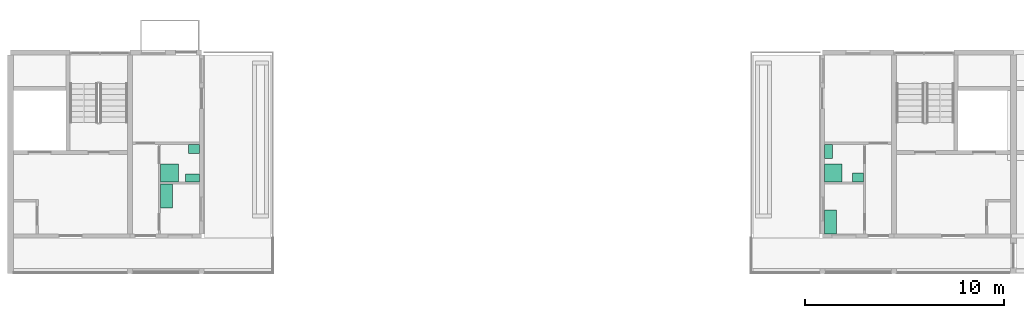
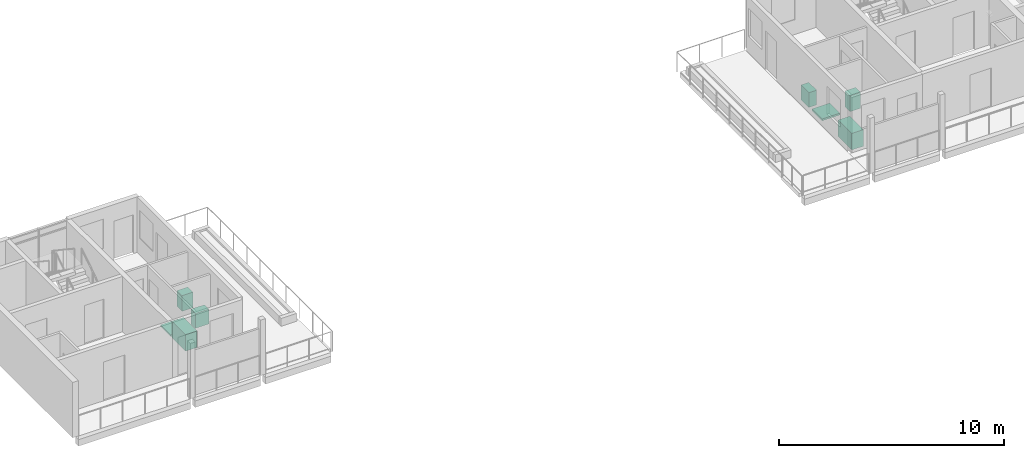
# One storey, part 33 of 33: 8 sanitary terminals.
"""IFC4 building model written with IfcOpenShell, lengths in metres."""

from ifc_helpers import new_model, si_unit, direction, frame, origin, origin_2d, place, context, subcontext, project, spatial, rectangle, extrude, element, save


model = new_model("IFC4")

# Units and contexts
model_context = context("Model", 3, precision=1e-05, world=origin(), true_north=direction((0.0, 1.0)))
body_context = subcontext(model_context, "Body", "Model", "MODEL_VIEW")
ifc_project = project(units=[si_unit("LENGTHUNIT", "METRE"), si_unit("AREAUNIT", "SQUARE_METRE"), si_unit("VOLUMEUNIT", "CUBIC_METRE"), si_unit("PLANEANGLEUNIT", "RADIAN"), si_unit("MASSUNIT", "GRAM", prefix="KILO")], contexts=[model_context])

# Site, building, storey
site_placement = place(None, origin())
site = spatial("IfcSite", under=ifc_project, at=site_placement, CompositionType="ELEMENT")
building_placement = place(site_placement, origin())
building = spatial("IfcBuilding", under=site, at=building_placement, Name="Ridgestep Commons", CompositionType="ELEMENT")
storey_placement = place(building_placement, frame((0.0, 0.0, 42.0)))
storey = spatial("IfcBuildingStorey", under=building, at=storey_placement, Name="L14", CompositionType="ELEMENT", Elevation=42.0)

# Sanitary terminals
sanitary_terminal_1_placement = place(storey_placement, frame((53.5849609375, 16.81005859375, 0.0), z_axis=(0.0, 0.0, 1.0), x_axis=(1.0, 0.0, 0.0)))
element("IfcSanitaryTerminal", 1, at=sanitary_terminal_1_placement, inside=storey, Name="Shower tray A3-14a", PredefinedType="SHOWER", context=body_context, shape_type="SweptSolid", body=[
    extrude(rectangle(XDim=0.89990234375, YDim=0.89990234375, at=origin_2d()), origin(), (0.0, 0.0, 1.0), 0.10009765625),
])
sanitary_terminal_2_placement = place(storey_placement, frame((54.75, 16.56005859375, 0.0), z_axis=(0.0, 0.0, 1.0), x_axis=(1.0, 0.0, 0.0)))
element("IfcSanitaryTerminal", 2, at=sanitary_terminal_2_placement, inside=storey, Name="WC A3-14a", PredefinedType="TOILETPAN", context=body_context, shape_type="SweptSolid", body=[
    extrude(rectangle(XDim=0.699951171875, YDim=0.39990234375, at=origin_2d()), origin(), (0.0, 0.0, 1.0), 0.800048828125),
])
sanitary_terminal_3_placement = place(storey_placement, frame((54.824951171875, 18.02490234375, 0.0), z_axis=(0.0, 0.0, 1.0), x_axis=(1.0, 0.0, 0.0)))
element("IfcSanitaryTerminal", 3, at=sanitary_terminal_3_placement, inside=storey, Name="Basin A3-14a", PredefinedType="WASHHANDBASIN", context=body_context, shape_type="SweptSolid", body=[
    extrude(rectangle(XDim=0.550048828125, YDim=0.449951171875, at=origin_2d()), origin(), (0.0, 0.0, 1.0), 0.85009765625),
])
sanitary_terminal_4_placement = place(storey_placement, frame((53.43505859375, 15.64990234375, 0.0), z_axis=(0.0, 0.0, 1.0), x_axis=(1.0, 0.0, 0.0)))
element("IfcSanitaryTerminal", 4, at=sanitary_terminal_4_placement, inside=storey, Name="Kitchen sink A3-14a", PredefinedType="SINK", context=body_context, shape_type="SweptSolid", body=[
    extrude(rectangle(XDim=0.60009765625, YDim=1.199951171875, at=origin_2d()), origin(), (0.0, 0.0, 1.0), 0.89990234375),
])
sanitary_terminal_5_placement = place(storey_placement, frame((86.949951171875, 16.81005859375, 0.0), z_axis=(0.0, 0.0, 1.0), x_axis=(1.0, 0.0, 0.0)))
element("IfcSanitaryTerminal", 5, at=sanitary_terminal_5_placement, inside=storey, Name="Shower tray A5-14a", PredefinedType="SHOWER", context=body_context, shape_type="SweptSolid", body=[
    extrude(rectangle(XDim=0.89990234375, YDim=0.89990234375, at=origin_2d()), origin(), (0.0, 0.0, 1.0), 0.10009765625),
])
sanitary_terminal_6_placement = place(storey_placement, frame((86.699951171875, 17.89990234375, 0.0), z_axis=(0.0, 0.0, 1.0), x_axis=(1.0, 0.0, 0.0)))
element("IfcSanitaryTerminal", 6, at=sanitary_terminal_6_placement, inside=storey, Name="WC A5-14a", PredefinedType="TOILETPAN", context=body_context, shape_type="SweptSolid", body=[
    extrude(rectangle(XDim=0.39990234375, YDim=0.699951171875, at=origin_2d()), origin(), (0.0, 0.0, 1.0), 0.800048828125),
])
sanitary_terminal_7_placement = place(storey_placement, frame((88.18994140625, 16.5849609375, 0.0), z_axis=(0.0, 0.0, 1.0), x_axis=(1.0, 0.0, 0.0)))
element("IfcSanitaryTerminal", 7, at=sanitary_terminal_7_placement, inside=storey, Name="Basin A5-14a", PredefinedType="WASHHANDBASIN", context=body_context, shape_type="SweptSolid", body=[
    extrude(rectangle(XDim=0.550048828125, YDim=0.449951171875, at=origin_2d()), origin(), (0.0, 0.0, 1.0), 0.85009765625),
])
sanitary_terminal_8_placement = place(storey_placement, frame((86.800048828125, 14.35009765625, 0.0), z_axis=(0.0, 0.0, 1.0), x_axis=(1.0, 0.0, 0.0)))
element("IfcSanitaryTerminal", 8, at=sanitary_terminal_8_placement, inside=storey, Name="Kitchen sink A5-14a", PredefinedType="SINK", context=body_context, shape_type="SweptSolid", body=[
    extrude(rectangle(XDim=0.60009765625, YDim=1.199951171875, at=origin_2d()), origin(), (0.0, 0.0, 1.0), 0.89990234375),
])

save(model, "model.ifc")
